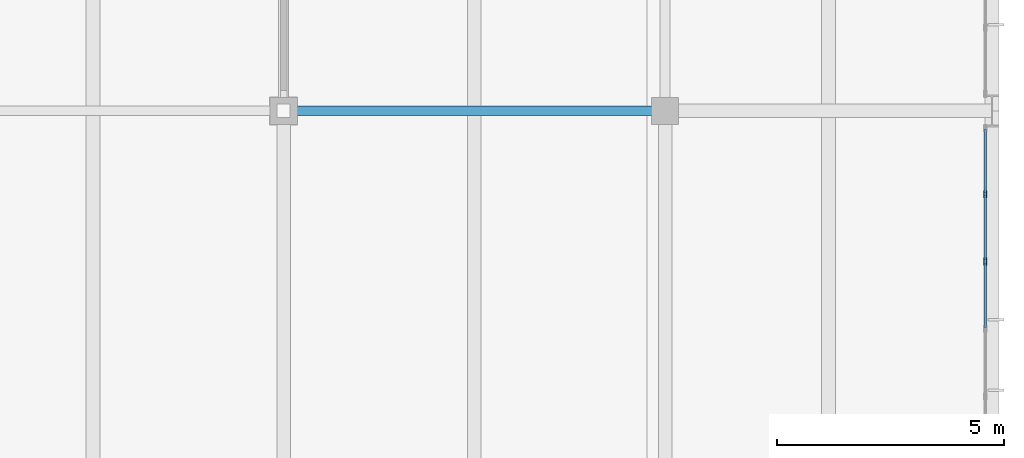
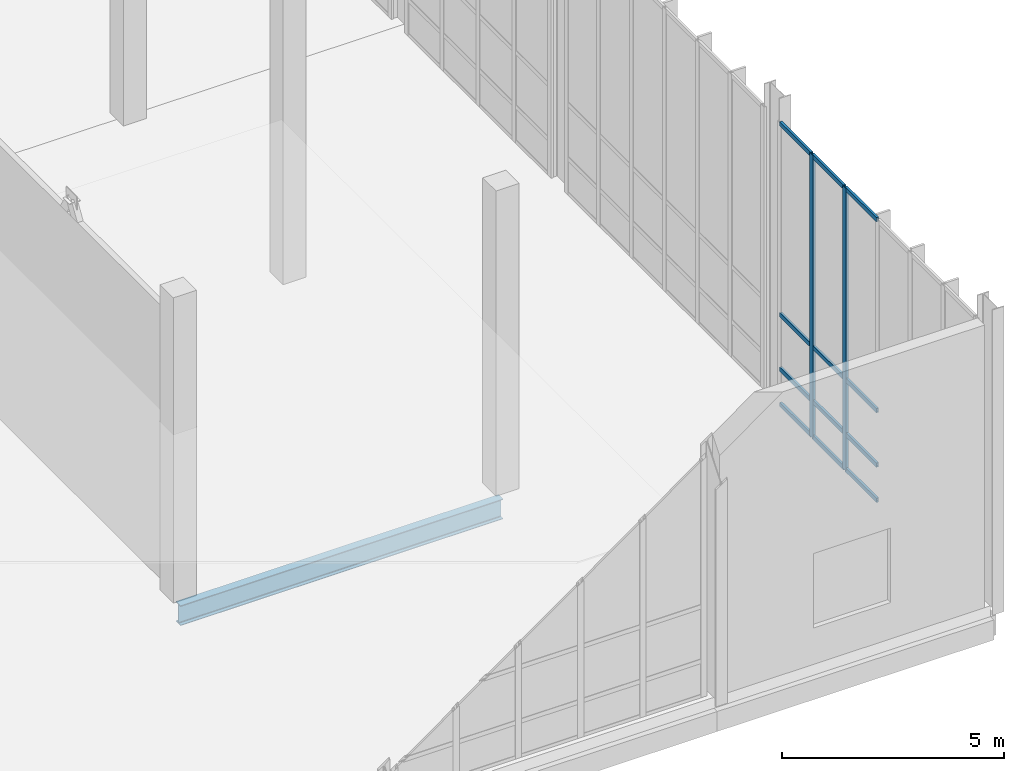
# One storey, part 87 of 131: 14 members, 1 beam, 1 element without a shape of its own.
"""IFC4 building model written with IfcOpenShell, lengths in metres."""

from ifc_helpers import new_model, si_unit, direction, frame, origin, origin_2d, place, context, subcontext, project, spatial, hollow_rectangle, i_section, extrude, material, material_profile, profile_set, type_object, element, aggregate, save


model = new_model("IFC4")

# Units and contexts
model_context = context("Model", 3, precision=1e-05, world=origin(), true_north=direction((0.0, 1.0)))
body_context = subcontext(model_context, "Body", "Model", "MODEL_VIEW")
ifc_project = project(units=[si_unit("LENGTHUNIT", "METRE"), si_unit("AREAUNIT", "SQUARE_METRE"), si_unit("VOLUMEUNIT", "CUBIC_METRE"), si_unit("PLANEANGLEUNIT", "RADIAN"), si_unit("MASSUNIT", "GRAM", prefix="KILO")], contexts=[model_context])

# Site, building, storey
site_placement = place(None, origin())
site = spatial("IfcSite", under=ifc_project, at=site_placement, CompositionType="ELEMENT")
building_placement = place(site_placement, origin())
building = spatial("IfcBuilding", under=site, at=building_placement, Name="Veltarok Museum of Natural Sciences", CompositionType="ELEMENT")
storey_placement = place(building_placement, origin())
storey = spatial("IfcBuildingStorey", under=building, at=storey_placement, Name="L00", CompositionType="ELEMENT", Elevation=0.0)

# Beam
ifc_material_1 = material(Name="Steel S355J2", Category="steel")
ifc_material_profile_1 = material_profile(ifc_material_1, i_section(OverallWidth=0.2099609375, OverallDepth=0.550048828125, WebThickness=0.010986328125, FlangeThickness=0.01708984375, FilletRadius=0.02392578125, at=origin_2d()), Name="IPE 550")
ifc_profile_set_1 = profile_set([ifc_material_profile_1], Name="Steel S355J2")
beam_type = type_object("IfcBeamType", Name="Archive Heavy Girder IPE 550", PredefinedType="BEAM", material=ifc_profile_set_1)
beam_placement = place(storey_placement, frame((149.199951171875, 9.60009765625, -0.574951171875), z_axis=(1.0, 0.0, 0.0), x_axis=(0.0, 1.0, 0.0)))
element("IfcBeam", 1, at=beam_placement, inside=storey, type_object=beam_type, Name="Beam BM-G03 L00 18-19/B", PredefinedType="BEAM", context=body_context, shape_type="SweptSolid", body=[
    extrude(i_section(OverallWidth=0.2099609375, OverallDepth=0.550048828125, WebThickness=0.010986328125, FlangeThickness=0.01708984375, FilletRadius=0.02392578125, at=origin_2d()), origin(), (0.0, 0.0, 1.0), 8.400146484375),
])

# Curtain wall, members
ifc_material_2 = material(Name="Low-iron triple insulated glass", Category="glass")
curtain_wall_type = type_object("IfcCurtainWallType", Name="Curtain Wall System CW-V5E-L00-A-890x778 (V5 East Lab L00 A-B 890x778cm)", PredefinedType="NOTDEFINED", material=ifc_material_2)
curtain_wall_placement = place(storey_placement, origin())
curtain_wall = element("IfcCurtainWall", 2, at=curtain_wall_placement, inside=storey, type_object=curtain_wall_type, Name="Curtain Wall CW-V5E-L00-A-890x778 CW-0098", PredefinedType="NOTDEFINED")
ifc_material_3 = material(Name="Thermally broken anodised aluminium", Category="aluminium")
ifc_material_profile_2 = material_profile(ifc_material_3, hollow_rectangle(XDim=0.06005859375, YDim=0.1201171875, WallThickness=0.0048828125, at=origin_2d()), Name="CW TRANSOM 60x120x5")
ifc_profile_set_2 = profile_set([ifc_material_profile_2], Name="Thermally broken anodised aluminium")
member_type_1 = type_object("IfcMemberType", Name="Curtain Wall Horizontal Transom 60x120x5", PredefinedType="USERDEFINED", material=ifc_profile_set_2)
member_1_placement = place(storey_placement, frame((164.64990234375, 4.830078125, 0.030029296875), z_axis=(0.0, 1.0, 0.0), x_axis=(-1.0, 0.0, 0.0)))
member_1 = element("IfcMember", 3, at=member_1_placement, type_object=member_type_1, Name="CW-V5E-L00-A-890x778 transom 4.1", ObjectType="TRANSOM", PredefinedType="USERDEFINED", context=body_context, shape_type="SweptSolid", body=[
    extrude(hollow_rectangle(XDim=0.06005859375, YDim=0.1201171875, WallThickness=0.0048828125, at=origin_2d()), origin(), (0.0, 0.0, 1.0), 1.42333984375),
])
member_2_placement = place(storey_placement, frame((164.64990234375, 4.830078125, 1.0), z_axis=(0.0, 1.0, 0.0), x_axis=(-1.0, 0.0, 0.0)))
member_2 = element("IfcMember", 4, at=member_2_placement, type_object=member_type_1, Name="CW-V5E-L00-A-890x778 transom 4.2", ObjectType="TRANSOM", PredefinedType="USERDEFINED", context=body_context, shape_type="SweptSolid", body=[
    extrude(hollow_rectangle(XDim=0.06005859375, YDim=0.1201171875, WallThickness=0.0048828125, at=origin_2d()), origin(), (0.0, 0.0, 1.0), 1.42333984375),
])
member_3_placement = place(storey_placement, frame((164.64990234375, 4.830078125, 2.5), z_axis=(0.0, 1.0, 0.0), x_axis=(-1.0, 0.0, 0.0)))
member_3 = element("IfcMember", 5, at=member_3_placement, type_object=member_type_1, Name="CW-V5E-L00-A-890x778 transom 4.3", ObjectType="TRANSOM", PredefinedType="USERDEFINED", context=body_context, shape_type="SweptSolid", body=[
    extrude(hollow_rectangle(XDim=0.06005859375, YDim=0.1201171875, WallThickness=0.0048828125, at=origin_2d()), origin(), (0.0, 0.0, 1.0), 1.42333984375),
])
member_4_placement = place(storey_placement, frame((164.64990234375, 4.830078125, 7.75), z_axis=(0.0, 1.0, 0.0), x_axis=(-1.0, 0.0, 0.0)))
member_4 = element("IfcMember", 6, at=member_4_placement, type_object=member_type_1, Name="CW-V5E-L00-A-890x778 transom 4.4", ObjectType="TRANSOM", PredefinedType="USERDEFINED", context=body_context, shape_type="SweptSolid", body=[
    extrude(hollow_rectangle(XDim=0.06005859375, YDim=0.1201171875, WallThickness=0.0048828125, at=origin_2d()), origin(), (0.0, 0.0, 1.0), 1.42333984375),
])
member_5_placement = place(storey_placement, frame((164.64990234375, 6.313232421875, 0.030029296875), z_axis=(0.0, 1.0, 0.0), x_axis=(-1.0, 0.0, 0.0)))
member_5 = element("IfcMember", 7, at=member_5_placement, type_object=member_type_1, Name="CW-V5E-L00-A-890x778 transom 5.1", ObjectType="TRANSOM", PredefinedType="USERDEFINED", context=body_context, shape_type="SweptSolid", body=[
    extrude(hollow_rectangle(XDim=0.06005859375, YDim=0.1201171875, WallThickness=0.0048828125, at=origin_2d()), origin(), (0.0, 0.0, 1.0), 1.42333984375),
])
member_6_placement = place(storey_placement, frame((164.64990234375, 6.313232421875, 1.0), z_axis=(0.0, 1.0, 0.0), x_axis=(-1.0, 0.0, 0.0)))
member_6 = element("IfcMember", 8, at=member_6_placement, type_object=member_type_1, Name="CW-V5E-L00-A-890x778 transom 5.2", ObjectType="TRANSOM", PredefinedType="USERDEFINED", context=body_context, shape_type="SweptSolid", body=[
    extrude(hollow_rectangle(XDim=0.06005859375, YDim=0.1201171875, WallThickness=0.0048828125, at=origin_2d()), origin(), (0.0, 0.0, 1.0), 1.42333984375),
])
member_7_placement = place(storey_placement, frame((164.64990234375, 6.313232421875, 2.5), z_axis=(0.0, 1.0, 0.0), x_axis=(-1.0, 0.0, 0.0)))
member_7 = element("IfcMember", 9, at=member_7_placement, type_object=member_type_1, Name="CW-V5E-L00-A-890x778 transom 5.3", ObjectType="TRANSOM", PredefinedType="USERDEFINED", context=body_context, shape_type="SweptSolid", body=[
    extrude(hollow_rectangle(XDim=0.06005859375, YDim=0.1201171875, WallThickness=0.0048828125, at=origin_2d()), origin(), (0.0, 0.0, 1.0), 1.42333984375),
])
member_8_placement = place(storey_placement, frame((164.64990234375, 6.313232421875, 7.75), z_axis=(0.0, 1.0, 0.0), x_axis=(-1.0, 0.0, 0.0)))
member_8 = element("IfcMember", 10, at=member_8_placement, type_object=member_type_1, Name="CW-V5E-L00-A-890x778 transom 5.4", ObjectType="TRANSOM", PredefinedType="USERDEFINED", context=body_context, shape_type="SweptSolid", body=[
    extrude(hollow_rectangle(XDim=0.06005859375, YDim=0.1201171875, WallThickness=0.0048828125, at=origin_2d()), origin(), (0.0, 0.0, 1.0), 1.42333984375),
])
member_9_placement = place(storey_placement, frame((164.64990234375, 7.796630859375, 0.030029296875), z_axis=(0.0, 1.0, 0.0), x_axis=(-1.0, 0.0, 0.0)))
member_9 = element("IfcMember", 11, at=member_9_placement, type_object=member_type_1, Name="CW-V5E-L00-A-890x778 transom 6.1", ObjectType="TRANSOM", PredefinedType="USERDEFINED", context=body_context, shape_type="SweptSolid", body=[
    extrude(hollow_rectangle(XDim=0.06005859375, YDim=0.1201171875, WallThickness=0.0048828125, at=origin_2d()), origin(), (0.0, 0.0, 1.0), 1.393310546875),
])
member_10_placement = place(storey_placement, frame((164.64990234375, 7.796630859375, 1.0), z_axis=(0.0, 1.0, 0.0), x_axis=(-1.0, 0.0, 0.0)))
member_10 = element("IfcMember", 12, at=member_10_placement, type_object=member_type_1, Name="CW-V5E-L00-A-890x778 transom 6.2", ObjectType="TRANSOM", PredefinedType="USERDEFINED", context=body_context, shape_type="SweptSolid", body=[
    extrude(hollow_rectangle(XDim=0.06005859375, YDim=0.1201171875, WallThickness=0.0048828125, at=origin_2d()), origin(), (0.0, 0.0, 1.0), 1.393310546875),
])
member_11_placement = place(storey_placement, frame((164.64990234375, 7.796630859375, 2.5), z_axis=(0.0, 1.0, 0.0), x_axis=(-1.0, 0.0, 0.0)))
member_11 = element("IfcMember", 13, at=member_11_placement, type_object=member_type_1, Name="CW-V5E-L00-A-890x778 transom 6.3", ObjectType="TRANSOM", PredefinedType="USERDEFINED", context=body_context, shape_type="SweptSolid", body=[
    extrude(hollow_rectangle(XDim=0.06005859375, YDim=0.1201171875, WallThickness=0.0048828125, at=origin_2d()), origin(), (0.0, 0.0, 1.0), 1.393310546875),
])
member_12_placement = place(storey_placement, frame((164.64990234375, 7.796630859375, 7.75), z_axis=(0.0, 1.0, 0.0), x_axis=(-1.0, 0.0, 0.0)))
member_12 = element("IfcMember", 14, at=member_12_placement, type_object=member_type_1, Name="CW-V5E-L00-A-890x778 transom 6.4", ObjectType="TRANSOM", PredefinedType="USERDEFINED", context=body_context, shape_type="SweptSolid", body=[
    extrude(hollow_rectangle(XDim=0.06005859375, YDim=0.1201171875, WallThickness=0.0048828125, at=origin_2d()), origin(), (0.0, 0.0, 1.0), 1.393310546875),
])
ifc_material_profile_3 = material_profile(ifc_material_3, hollow_rectangle(XDim=0.06005859375, YDim=0.159912109375, WallThickness=0.0048828125, at=origin_2d()), Name="CW MULLION 60x160x5")
ifc_profile_set_3 = profile_set([ifc_material_profile_3], Name="Thermally broken anodised aluminium")
member_type_2 = type_object("IfcMemberType", Name="Curtain Wall Vertical Mullion 60x160x5", PredefinedType="MULLION", material=ifc_profile_set_3)
member_13_placement = place(storey_placement, frame((164.64990234375, 6.283447265625, 0.0), z_axis=(0.0, 0.0, 1.0), x_axis=(-1.0, 0.0, 0.0)))
member_13 = element("IfcMember", 15, at=member_13_placement, type_object=member_type_2, Name="CW-V5E-L00-A-890x778 mullion 5", PredefinedType="MULLION", context=body_context, shape_type="SweptSolid", body=[
    extrude(hollow_rectangle(XDim=0.06005859375, YDim=0.159912109375, WallThickness=0.0048828125, at=origin_2d()), origin(), (0.0, 0.0, 1.0), 7.780029296875),
])
member_14_placement = place(storey_placement, frame((164.64990234375, 7.7666015625, 0.0), z_axis=(0.0, 0.0, 1.0), x_axis=(-1.0, 0.0, 0.0)))
member_14 = element("IfcMember", 16, at=member_14_placement, type_object=member_type_2, Name="CW-V5E-L00-A-890x778 mullion 6", PredefinedType="MULLION", context=body_context, shape_type="SweptSolid", body=[
    extrude(hollow_rectangle(XDim=0.06005859375, YDim=0.159912109375, WallThickness=0.0048828125, at=origin_2d()), origin(), (0.0, 0.0, 1.0), 7.780029296875),
])
aggregate(curtain_wall, [member_13, member_14, member_1, member_2, member_3, member_4, member_5, member_6, member_7, member_8, member_9, member_10, member_11, member_12])

save(model, "model.ifc")
